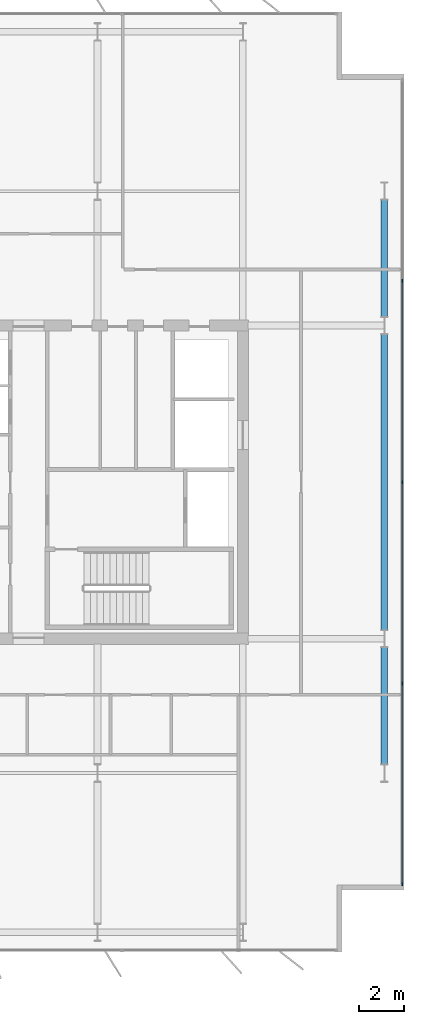
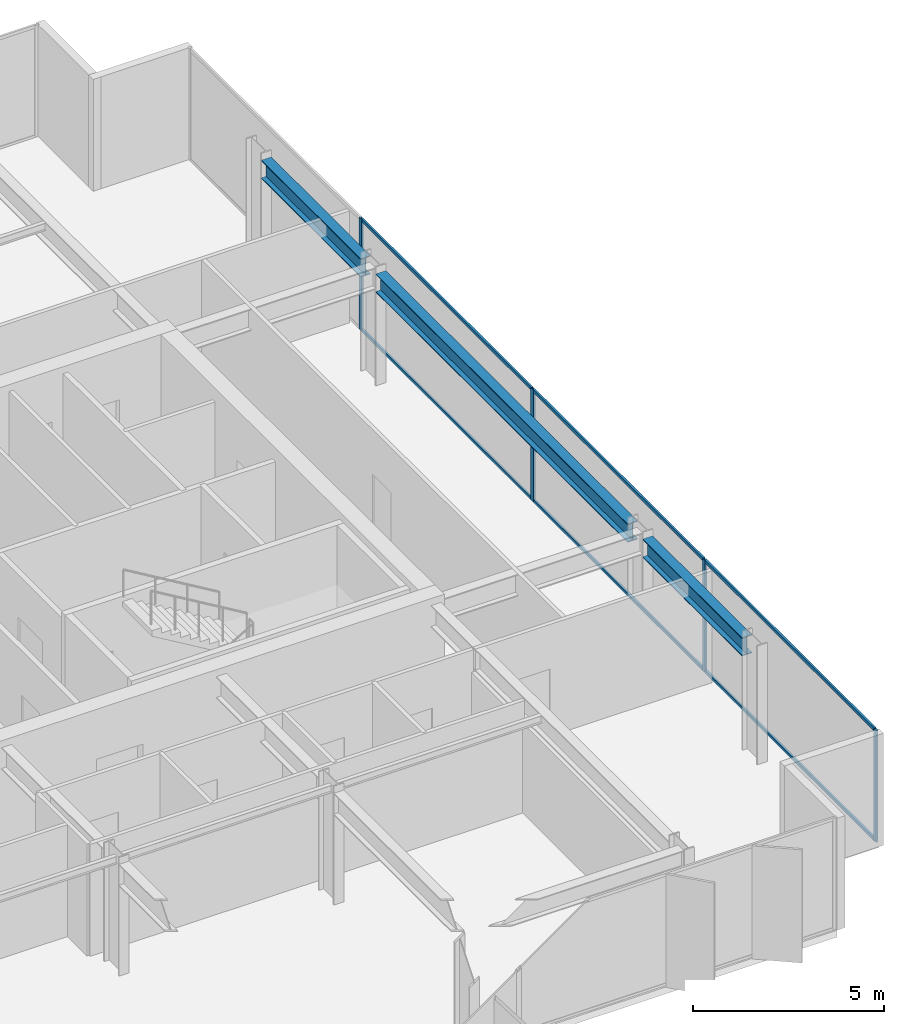
# One storey, part 14 of 23: 10 members, 3 beams, 1 element without a shape of its own.
"""IFC4 building model written with IfcOpenShell, lengths in metres."""

from ifc_helpers import new_model, si_unit, direction, frame, origin, origin_2d, place, context, subcontext, project, spatial, rectangle, i_section, extrude, material, layer, layer_set, material_profile, profile_set, type_object, element, aggregate, save


model = new_model("IFC4")

# Units and contexts
model_context = context("Model", 3, precision=1e-05, world=origin(), true_north=direction((0.0, 1.0)))
body_context = subcontext(model_context, "Body", "Model", "MODEL_VIEW")
ifc_project = project(units=[si_unit("LENGTHUNIT", "METRE"), si_unit("AREAUNIT", "SQUARE_METRE"), si_unit("VOLUMEUNIT", "CUBIC_METRE"), si_unit("PLANEANGLEUNIT", "RADIAN"), si_unit("MASSUNIT", "GRAM", prefix="KILO")], contexts=[model_context])

# Site, building, storey
site_placement = place(None, origin())
site = spatial("IfcSite", under=ifc_project, at=site_placement, CompositionType="ELEMENT")
building_placement = place(site_placement, origin())
building = spatial("IfcBuilding", under=site, at=building_placement, Name="Putna Gate Headquarters", CompositionType="ELEMENT")
storey_placement = place(building_placement, frame((0.0, 0.0, 221.39990234375)))
storey = spatial("IfcBuildingStorey", under=building, at=storey_placement, Name="L55", CompositionType="ELEMENT", Elevation=221.39990234375)

# Beams
ifc_material_1 = material(Name="Steel S355J2", Category="steel")
ifc_material_profile_1 = material_profile(ifc_material_1, i_section(OverallWidth=0.300048828125, OverallDepth=0.590087890625, WebThickness=0.012939453125, FlangeThickness=0.02490234375, at=origin_2d()), Name="Steel S355J2")
ifc_profile_set_1 = profile_set([ifc_material_profile_1], Name="Steel S355J2")
beam_type = type_object("IfcBeamType", Name="BM-SPAN-Z4-HEA600", PredefinedType="SPANDREL", material=ifc_profile_set_1)
beam_1_placement = place(storey_placement, frame((71.320068359375, 13.39501953125, 3.28515625), z_axis=(0.0, 1.0, 0.0), x_axis=(-1.0, 0.0, 0.0)))
element("IfcBeam", 1, at=beam_1_placement, inside=storey, type_object=beam_type, Name="L55 E End Spandrel 1", PredefinedType="SPANDREL", context=body_context, shape_type="SweptSolid", body=[
    extrude(i_section(OverallWidth=0.300048828125, OverallDepth=0.590087890625, WebThickness=0.012939453125, FlangeThickness=0.02490234375, at=origin_2d()), origin(), (0.0, 0.0, 1.0), 5.2099609375),
])
beam_2_placement = place(storey_placement, frame((71.320068359375, 19.39501953125, 3.28515625), z_axis=(0.0, 1.0, 0.0), x_axis=(-1.0, 0.0, 0.0)))
element("IfcBeam", 2, at=beam_2_placement, inside=storey, type_object=beam_type, Name="L55 E End Spandrel 2", PredefinedType="SPANDREL", context=body_context, shape_type="SweptSolid", body=[
    extrude(i_section(OverallWidth=0.300048828125, OverallDepth=0.590087890625, WebThickness=0.012939453125, FlangeThickness=0.02490234375, at=origin_2d()), origin(), (0.0, 0.0, 1.0), 13.2099609375),
])
beam_3_placement = place(storey_placement, frame((71.320068359375, 33.39501953125, 3.28515625), z_axis=(0.0, 1.0, 0.0), x_axis=(-1.0, 0.0, 0.0)))
element("IfcBeam", 3, at=beam_3_placement, inside=storey, type_object=beam_type, Name="L55 E End Spandrel 3", PredefinedType="SPANDREL", context=body_context, shape_type="SweptSolid", body=[
    extrude(i_section(OverallWidth=0.300048828125, OverallDepth=0.590087890625, WebThickness=0.012939453125, FlangeThickness=0.02490234375, at=origin_2d()), origin(), (0.0, 0.0, 1.0), 5.2099609375),
])

# Curtain wall, members
ifc_material_2 = material(Name="Anodised bronze aluminium curtain wall", Category="aluminium")
ifc_layer = layer(ifc_material_2, 0.139892578125)
ifc_layer_set = layer_set([ifc_layer], Name="Anodised bronze aluminium curtain wall")
curtain_wall_type = type_object("IfcCurtainWallType", Name="CW-SYS-Z4", PredefinedType="USERDEFINED", material=ifc_layer_set)
curtain_wall_placement = place(storey_placement, origin())
curtain_wall = element("IfcCurtainWall", 4, at=curtain_wall_placement, inside=storey, type_object=curtain_wall_type, Name="L55 East Curtain Wall", ObjectType="STICK CURTAIN WALL", PredefinedType="USERDEFINED")
ifc_material_3 = material(Name="Anodised bronze aluminium EN AW-6060", Category="aluminium")
ifc_material_profile_2 = material_profile(ifc_material_3, rectangle(XDim=0.06005859375, YDim=0.139892578125, at=origin_2d()), Name="Anodised bronze aluminium EN AW-6060")
ifc_profile_set_2 = profile_set([ifc_material_profile_2], Name="Anodised bronze aluminium EN AW-6060")
member_type_1 = type_object("IfcMemberType", Name="MULL-CWM-4", PredefinedType="MULLION", material=ifc_profile_set_2)
member_1_placement = place(storey_placement, frame((72.1201171875, 8.030029296875, 0.0), z_axis=(0.0, 0.0, 1.0), x_axis=(-1.0, 0.0, 0.0)))
member_1 = element("IfcMember", 5, at=member_1_placement, type_object=member_type_1, Name="CWS-4 mullion 1", PredefinedType="MULLION", context=body_context, shape_type="SweptSolid", body=[
    extrude(rectangle(XDim=0.06005859375, YDim=0.139892578125, at=origin_2d()), origin(), (0.0, 0.0, 1.0), 3.580078125),
])
member_2_placement = place(storey_placement, frame((72.1201171875, 17.0, 0.0), z_axis=(0.0, 0.0, 1.0), x_axis=(-1.0, 0.0, 0.0)))
member_2 = element("IfcMember", 6, at=member_2_placement, type_object=member_type_1, Name="CWS-4 mullion 2", PredefinedType="MULLION", context=body_context, shape_type="SweptSolid", body=[
    extrude(rectangle(XDim=0.06005859375, YDim=0.139892578125, at=origin_2d()), origin(), (0.0, 0.0, 1.0), 3.580078125),
])
member_3_placement = place(storey_placement, frame((72.1201171875, 26.0, 0.0), z_axis=(0.0, 0.0, 1.0), x_axis=(-1.0, 0.0, 0.0)))
member_3 = element("IfcMember", 7, at=member_3_placement, type_object=member_type_1, Name="CWS-4 mullion 3", PredefinedType="MULLION", context=body_context, shape_type="SweptSolid", body=[
    extrude(rectangle(XDim=0.06005859375, YDim=0.139892578125, at=origin_2d()), origin(), (0.0, 0.0, 1.0), 3.580078125),
])
member_4_placement = place(storey_placement, frame((72.1201171875, 35.0, 0.0), z_axis=(0.0, 0.0, 1.0), x_axis=(-1.0, 0.0, 0.0)))
member_4 = element("IfcMember", 8, at=member_4_placement, type_object=member_type_1, Name="CWS-4 mullion 4", PredefinedType="MULLION", context=body_context, shape_type="SweptSolid", body=[
    extrude(rectangle(XDim=0.06005859375, YDim=0.139892578125, at=origin_2d()), origin(), (0.0, 0.0, 1.0), 3.580078125),
])
ifc_material_profile_3 = material_profile(ifc_material_3, rectangle(XDim=0.06005859375, YDim=0.10009765625, at=origin_2d()), Name="Anodised bronze aluminium EN AW-6060")
ifc_profile_set_3 = profile_set([ifc_material_profile_3], Name="Anodised bronze aluminium EN AW-6060")
member_type_2 = type_object("IfcMemberType", Name="TRAN-CWT-4", PredefinedType="USERDEFINED", material=ifc_profile_set_3)
member_5_placement = place(storey_placement, frame((72.1201171875, 8.06005859375, 0.030029296875), z_axis=(0.0, 1.0, 0.0), x_axis=(-1.0, 0.0, 0.0)))
member_5 = element("IfcMember", 9, at=member_5_placement, type_object=member_type_2, Name="CWS-4 transom 1.1", ObjectType="TRANSOM", PredefinedType="USERDEFINED", context=body_context, shape_type="SweptSolid", body=[
    extrude(rectangle(XDim=0.06005859375, YDim=0.10009765625, at=origin_2d()), origin(), (0.0, 0.0, 1.0), 8.909912109375),
])
member_6_placement = place(storey_placement, frame((72.1201171875, 8.06005859375, 3.550048828125), z_axis=(0.0, 1.0, 0.0), x_axis=(-1.0, 0.0, 0.0)))
member_6 = element("IfcMember", 10, at=member_6_placement, type_object=member_type_2, Name="CWS-4 transom 1.2", ObjectType="TRANSOM", PredefinedType="USERDEFINED", context=body_context, shape_type="SweptSolid", body=[
    extrude(rectangle(XDim=0.06005859375, YDim=0.10009765625, at=origin_2d()), origin(), (0.0, 0.0, 1.0), 8.909912109375),
])
member_7_placement = place(storey_placement, frame((72.1201171875, 17.030029296875, 0.030029296875), z_axis=(0.0, 1.0, 0.0), x_axis=(-1.0, 0.0, 0.0)))
member_7 = element("IfcMember", 11, at=member_7_placement, type_object=member_type_2, Name="CWS-4 transom 2.1", ObjectType="TRANSOM", PredefinedType="USERDEFINED", context=body_context, shape_type="SweptSolid", body=[
    extrude(rectangle(XDim=0.06005859375, YDim=0.10009765625, at=origin_2d()), origin(), (0.0, 0.0, 1.0), 8.93994140625),
])
member_8_placement = place(storey_placement, frame((72.1201171875, 17.030029296875, 3.550048828125), z_axis=(0.0, 1.0, 0.0), x_axis=(-1.0, 0.0, 0.0)))
member_8 = element("IfcMember", 12, at=member_8_placement, type_object=member_type_2, Name="CWS-4 transom 2.2", ObjectType="TRANSOM", PredefinedType="USERDEFINED", context=body_context, shape_type="SweptSolid", body=[
    extrude(rectangle(XDim=0.06005859375, YDim=0.10009765625, at=origin_2d()), origin(), (0.0, 0.0, 1.0), 8.93994140625),
])
member_9_placement = place(storey_placement, frame((72.1201171875, 26.030029296875, 0.030029296875), z_axis=(0.0, 1.0, 0.0), x_axis=(-1.0, 0.0, 0.0)))
member_9 = element("IfcMember", 13, at=member_9_placement, type_object=member_type_2, Name="CWS-4 transom 3.1", ObjectType="TRANSOM", PredefinedType="USERDEFINED", context=body_context, shape_type="SweptSolid", body=[
    extrude(rectangle(XDim=0.06005859375, YDim=0.10009765625, at=origin_2d()), origin(), (0.0, 0.0, 1.0), 8.93994140625),
])
member_10_placement = place(storey_placement, frame((72.1201171875, 26.030029296875, 3.550048828125), z_axis=(0.0, 1.0, 0.0), x_axis=(-1.0, 0.0, 0.0)))
member_10 = element("IfcMember", 14, at=member_10_placement, type_object=member_type_2, Name="CWS-4 transom 3.2", ObjectType="TRANSOM", PredefinedType="USERDEFINED", context=body_context, shape_type="SweptSolid", body=[
    extrude(rectangle(XDim=0.06005859375, YDim=0.10009765625, at=origin_2d()), origin(), (0.0, 0.0, 1.0), 8.93994140625),
])
aggregate(curtain_wall, [member_1, member_2, member_3, member_4, member_5, member_6, member_7, member_8, member_9, member_10])

save(model, "model.ifc")
